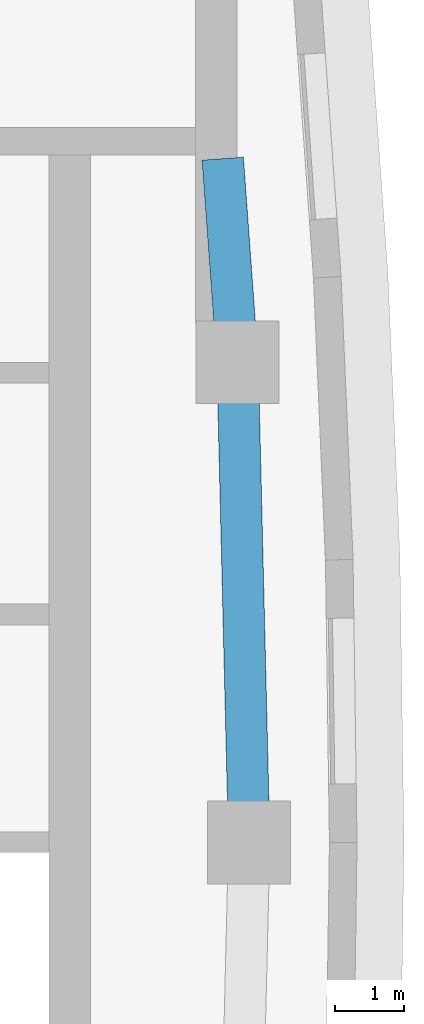
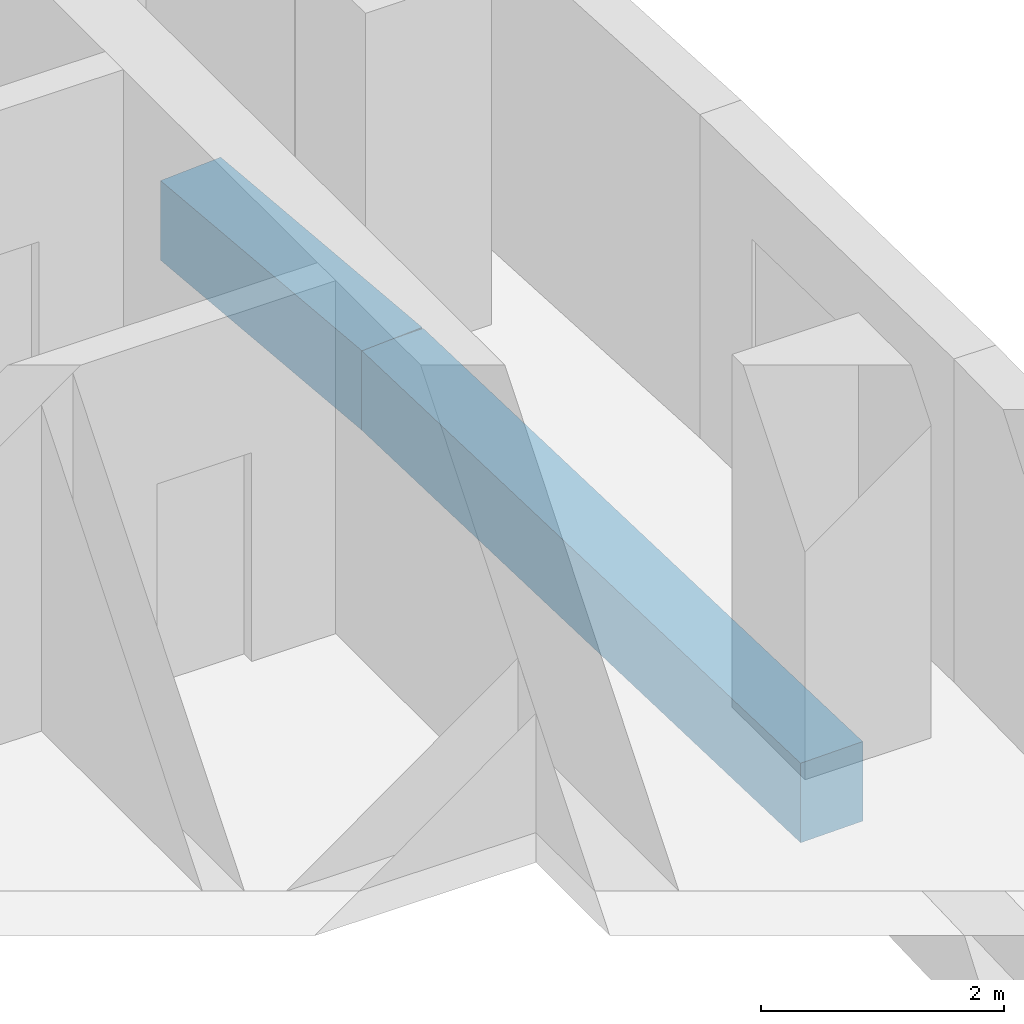
# One storey, part 5 of 16: 2 beams.
"""IFC4 building model written with IfcOpenShell, lengths in metres."""

from ifc_helpers import new_model, si_unit, direction, frame, origin, origin_2d, place, context, subcontext, project, spatial, rectangle, extrude, material, material_profile, profile_set, type_object, element, save


model = new_model("IFC4")

# Units and contexts
model_context = context("Model", 3, precision=1e-05, world=origin(), true_north=direction((0.0, 1.0)))
body_context = subcontext(model_context, "Body", "Model", "MODEL_VIEW")
ifc_project = project(units=[si_unit("LENGTHUNIT", "METRE"), si_unit("AREAUNIT", "SQUARE_METRE"), si_unit("VOLUMEUNIT", "CUBIC_METRE"), si_unit("PLANEANGLEUNIT", "RADIAN"), si_unit("MASSUNIT", "GRAM", prefix="KILO")], contexts=[model_context])

# Site, building, storey
site_placement = place(None, origin())
site = spatial("IfcSite", under=ifc_project, at=site_placement, CompositionType="ELEMENT")
building_placement = place(site_placement, origin())
building = spatial("IfcBuilding", under=site, at=building_placement, Name="Ostrand Prow Hotel Tower", CompositionType="ELEMENT")
storey_placement = place(building_placement, frame((0.0, 0.0, 227.89990234375)))
storey = spatial("IfcBuildingStorey", under=building, at=storey_placement, Name="L57", CompositionType="ELEMENT", Elevation=227.89990234375)

# Beams
ifc_material = material(Name="Concrete C50/60", Category="concrete")
ifc_material_profile = material_profile(ifc_material, rectangle(XDim=0.60009765625, YDim=0.800048828125, at=origin_2d()), Name="RC 600x800")
ifc_profile_set = profile_set([ifc_material_profile], Name="Concrete C50/60")
beam_type = type_object("IfcBeamType", Name="Edge beam 600x800 C50/60", PredefinedType="SPANDREL", material=ifc_profile_set)
beam_1_placement = place(storey_placement, frame((64.5, 0.0, -0.699951171875), z_axis=(-0.024223820991, 0.999706560195, 0.0), x_axis=(-0.999706560195, -0.024223820991, 0.0)))
element("IfcBeam", 1, at=beam_1_placement, inside=storey, type_object=beam_type, Name="Edge beam B3-B4", PredefinedType="SPANDREL", context=body_context, shape_type="SweptSolid", body=[
    extrude(rectangle(XDim=0.60009765625, YDim=0.800048828125, at=origin_2d()), origin(), (0.0, 0.0, 1.0), 6.9541015625),
])
beam_2_placement = place(storey_placement, frame((64.33154296875, 6.9521484375, -0.699951171875), z_axis=(-0.072691068771, 0.997354504938, 0.0), x_axis=(-0.997354504938, -0.072691068771, 0.0)))
element("IfcBeam", 2, at=beam_2_placement, inside=storey, type_object=beam_type, Name="Edge beam B4-B5", PredefinedType="SPANDREL", context=body_context, shape_type="SweptSolid", body=[
    extrude(rectangle(XDim=0.60009765625, YDim=0.800048828125, at=origin_2d()), origin(), (0.0, 0.0, 1.0), 2.95556640625),
])

save(model, "model.ifc")
